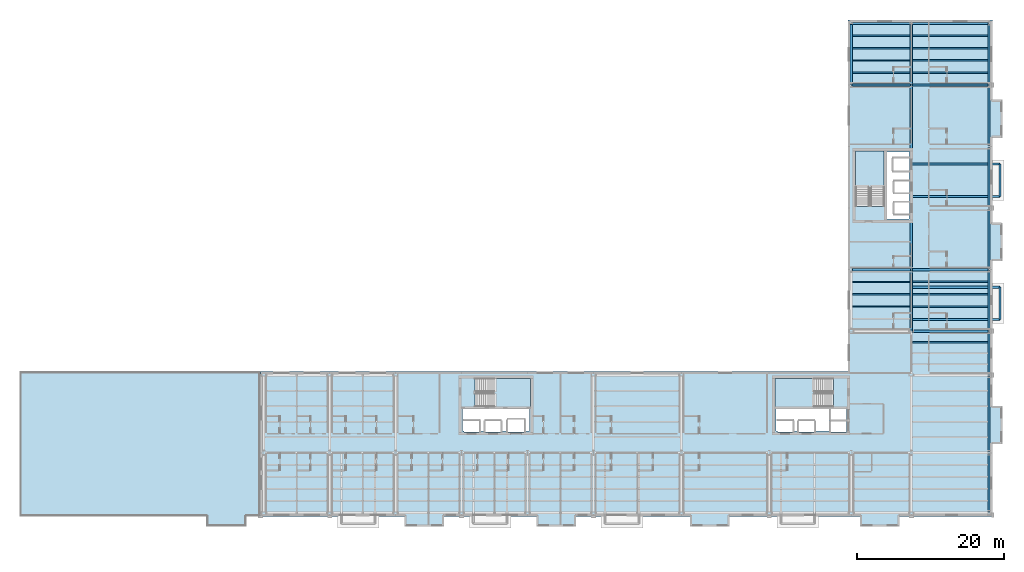
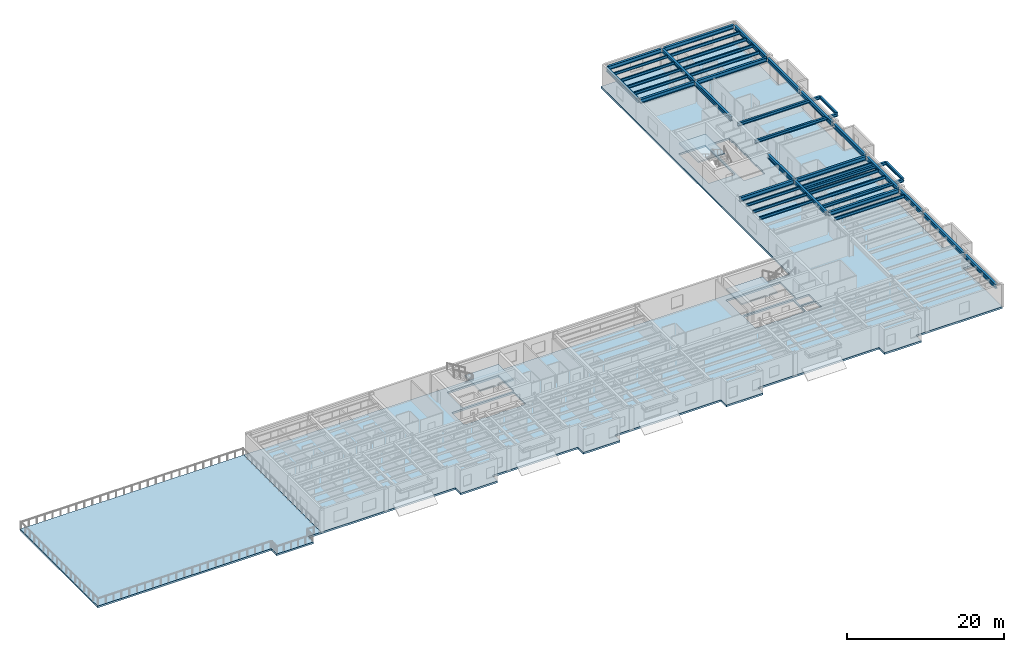
# One storey, part 7 of 23: 41 beams, 5 slabs, 3 elements without a shape of their own.
"""IFC4 building model written with IfcOpenShell, lengths in metres."""

from ifc_helpers import new_model, si_unit, direction, frame, origin, origin_2d, place, context, subcontext, project, spatial, polyline, i_section, outline, extrude, material, layer, layer_set, material_profile, profile_set, type_object, element, aggregate, save


model = new_model("IFC4")

# Units and contexts
model_context = context("Model", 3, precision=1e-05, world=origin(), true_north=direction((0.0, 1.0)))
body_context = subcontext(model_context, "Body", "Model", "MODEL_VIEW")
ifc_project = project(units=[si_unit("LENGTHUNIT", "METRE"), si_unit("AREAUNIT", "SQUARE_METRE"), si_unit("VOLUMEUNIT", "CUBIC_METRE"), si_unit("PLANEANGLEUNIT", "RADIAN"), si_unit("MASSUNIT", "GRAM", prefix="KILO")], contexts=[model_context])

# Site, building, storey
site_placement = place(None, origin())
site = spatial("IfcSite", under=ifc_project, at=site_placement, CompositionType="ELEMENT")
building_placement = place(site_placement, origin())
building = spatial("IfcBuilding", under=site, at=building_placement, Name="Sollismere Congress Hotel", CompositionType="ELEMENT")
storey_placement = place(building_placement, frame((0.0, 0.0, 30.60009765625)))
storey = spatial("IfcBuildingStorey", under=building, at=storey_placement, Name="L07", CompositionType="ELEMENT", Elevation=30.60009765625)

# Beams
ifc_material_1 = material(Name="Steel ASTM A992 Grade 50", Category="steel")
ifc_material_profile_1 = material_profile(ifc_material_1, i_section(OverallWidth=0.281982421875, OverallDepth=0.471923828125, WebThickness=0.013671875, FlangeThickness=0.022216796875, at=origin_2d()), Name="W18X97")
ifc_profile_set_1 = profile_set([ifc_material_profile_1], Name="Steel ASTM A992 Grade 50")
beam_type_1 = type_object("IfcBeamType", Name="BM-CK18E", PredefinedType="BEAM", material=ifc_profile_set_1)
for number, where, z_axis, x_axis, name in (
    (1, (155.39990234375, 26.39990234375, 2.989013671875), (1.0, 0.0, 0.0), (0.0, 1.0, 0.0), "Beam BM-L07-4007"),
    (2, (155.39990234375, 30.800048828125, 2.989013671875), (1.0, 0.0, 0.0), (0.0, 1.0, 0.0), "Beam BM-L07-4008"),
    (3, (155.39990234375, 43.199951171875, 2.989013671875), (1.0, 0.0, 0.0), (0.0, 1.0, 0.0), "Beam BM-L07-4010"),
    (4, (155.39990234375, 47.60009765625, 2.989013671875), (1.0, 0.0, 0.0), (0.0, 1.0, 0.0), "Beam BM-L07-4011"),
):
    element("IfcBeam", number, at=place(storey_placement, frame(where, z_axis=z_axis, x_axis=x_axis)), inside=storey, type_object=beam_type_1, Name=name, PredefinedType="BEAM", context=body_context, shape_type="SweptSolid", body=[
        extrude(i_section(OverallWidth=0.281982421875, OverallDepth=0.471923828125, WebThickness=0.013671875, FlangeThickness=0.022216796875, at=origin_2d()), origin(), (0.0, 0.0, 1.0), 12.090087890625),
    ])
ifc_material_profile_2 = material_profile(ifc_material_1, i_section(OverallWidth=0.31494140625, OverallDepth=0.551025390625, WebThickness=0.01513671875, FlangeThickness=0.0244140625, at=origin_2d()), Name="W21X122")
ifc_profile_set_2 = profile_set([ifc_material_profile_2], Name="Steel ASTM A992 Grade 50")
beam_type_2 = type_object("IfcBeamType", Name="BM-G21H", PredefinedType="BEAM", material=ifc_profile_set_2)
beam_1_placement = place(storey_placement, frame((147.199951171875, 58.5400390625, 2.949462890625), z_axis=(0.0, 1.0, 0.0), x_axis=(-1.0, 0.0, 0.0)))
element("IfcBeam", 5, at=beam_1_placement, inside=storey, type_object=beam_type_2, Name="Beam BM-L07-3320", PredefinedType="BEAM", context=body_context, shape_type="SweptSolid", body=[
    extrude(i_section(OverallWidth=0.31494140625, OverallDepth=0.551025390625, WebThickness=0.01513671875, FlangeThickness=0.0244140625, at=origin_2d()), origin(), (0.0, 0.0, 1.0), 8.119873046875),
])
beam_2_placement = place(storey_placement, frame((155.39990234375, 24.93994140625, 2.949462890625), z_axis=(0.0, 1.0, 0.0), x_axis=(-1.0, 0.0, 0.0)))
element("IfcBeam", 6, at=beam_2_placement, inside=storey, type_object=beam_type_2, Name="Beam BM-L07-3324", PredefinedType="BEAM", context=body_context, shape_type="SweptSolid", body=[
    extrude(i_section(OverallWidth=0.31494140625, OverallDepth=0.551025390625, WebThickness=0.01513671875, FlangeThickness=0.0244140625, at=origin_2d()), origin(), (0.0, 0.0, 1.0), 8.1201171875),
])
beam_3_placement = place(storey_placement, frame((155.39990234375, 58.5400390625, 2.949462890625), z_axis=(0.0, 1.0, 0.0), x_axis=(-1.0, 0.0, 0.0)))
element("IfcBeam", 7, at=beam_3_placement, inside=storey, type_object=beam_type_2, Name="Beam BM-L07-3325", PredefinedType="BEAM", context=body_context, shape_type="SweptSolid", body=[
    extrude(i_section(OverallWidth=0.31494140625, OverallDepth=0.551025390625, WebThickness=0.01513671875, FlangeThickness=0.0244140625, at=origin_2d()), origin(), (0.0, 0.0, 1.0), 8.119873046875),
])
ifc_material_profile_3 = material_profile(ifc_material_1, i_section(OverallWidth=0.324951171875, OverallDepth=0.612060546875, WebThickness=0.0126953125, FlangeThickness=0.01904296875, at=origin_2d()), Name="W24X104")
ifc_profile_set_3 = profile_set([ifc_material_profile_3], Name="Steel ASTM A992 Grade 50")
beam_type_3 = type_object("IfcBeamType", Name="BM-G24", PredefinedType="BEAM", material=ifc_profile_set_3)
beam_4_placement = place(storey_placement, frame((155.5400390625, 24.800048828125, 2.9189453125), z_axis=(1.0, 0.0, 0.0), x_axis=(0.0, 1.0, 0.0)))
element("IfcBeam", 8, at=beam_4_placement, inside=storey, type_object=beam_type_3, Name="Beam BM-L07-3298", PredefinedType="BEAM", context=body_context, shape_type="SweptSolid", body=[
    extrude(i_section(OverallWidth=0.324951171875, OverallDepth=0.612060546875, WebThickness=0.0126953125, FlangeThickness=0.01904296875, at=origin_2d()), origin(), (0.0, 0.0, 1.0), 10.320068359375),
])
beam_5_placement = place(storey_placement, frame((147.340087890625, 33.199951171875, 2.9189453125), z_axis=(1.0, 0.0, 0.0), x_axis=(0.0, 1.0, 0.0)))
element("IfcBeam", 9, at=beam_5_placement, inside=storey, type_object=beam_type_3, Name="Beam BM-L07-3299", PredefinedType="BEAM", context=body_context, shape_type="SweptSolid", body=[
    extrude(i_section(OverallWidth=0.324951171875, OverallDepth=0.612060546875, WebThickness=0.0126953125, FlangeThickness=0.01904296875, at=origin_2d()), origin(), (0.0, 0.0, 1.0), 7.919921875),
])
beam_6_placement = place(storey_placement, frame((155.5400390625, 33.199951171875, 2.9189453125), z_axis=(1.0, 0.0, 0.0), x_axis=(0.0, 1.0, 0.0)))
element("IfcBeam", 10, at=beam_6_placement, inside=storey, type_object=beam_type_3, Name="Beam BM-L07-3300", PredefinedType="BEAM", context=body_context, shape_type="SweptSolid", body=[
    extrude(i_section(OverallWidth=0.324951171875, OverallDepth=0.612060546875, WebThickness=0.0126953125, FlangeThickness=0.01904296875, at=origin_2d()), origin(), (0.0, 0.0, 1.0), 10.320068359375),
])
beam_7_placement = place(storey_placement, frame((147.3310546875, 58.39990234375, 2.9189453125), z_axis=(1.0, 0.0, 0.0), x_axis=(0.0, 1.0, 0.0)))
element("IfcBeam", 11, at=beam_7_placement, inside=storey, type_object=beam_type_3, Name="Beam BM-L07-3301", PredefinedType="BEAM", context=body_context, shape_type="SweptSolid", body=[
    extrude(i_section(OverallWidth=0.324951171875, OverallDepth=0.612060546875, WebThickness=0.0126953125, FlangeThickness=0.01904296875, at=origin_2d()), origin(), (0.0, 0.0, 1.0), 7.93798828125),
])
beam_8_placement = place(storey_placement, frame((155.531005859375, 58.39990234375, 2.9189453125), z_axis=(1.0, 0.0, 0.0), x_axis=(0.0, 1.0, 0.0)))
element("IfcBeam", 12, at=beam_8_placement, inside=storey, type_object=beam_type_3, Name="Beam BM-L07-3302", PredefinedType="BEAM", context=body_context, shape_type="SweptSolid", body=[
    extrude(i_section(OverallWidth=0.324951171875, OverallDepth=0.612060546875, WebThickness=0.0126953125, FlangeThickness=0.01904296875, at=origin_2d()), origin(), (0.0, 0.0, 1.0), 10.337890625),
])
beam_9_placement = place(storey_placement, frame((147.3310546875, 66.800048828125, 2.9189453125), z_axis=(1.0, 0.0, 0.0), x_axis=(0.0, 1.0, 0.0)))
element("IfcBeam", 13, at=beam_9_placement, inside=storey, type_object=beam_type_3, Name="Beam BM-L07-3303", PredefinedType="BEAM", context=body_context, shape_type="SweptSolid", body=[
    extrude(i_section(OverallWidth=0.324951171875, OverallDepth=0.612060546875, WebThickness=0.0126953125, FlangeThickness=0.01904296875, at=origin_2d()), origin(), (0.0, 0.0, 1.0), 7.93798828125),
])
beam_10_placement = place(storey_placement, frame((155.531005859375, 66.800048828125, 2.9189453125), z_axis=(1.0, 0.0, 0.0), x_axis=(0.0, 1.0, 0.0)))
element("IfcBeam", 14, at=beam_10_placement, inside=storey, type_object=beam_type_3, Name="Beam BM-L07-3304", PredefinedType="BEAM", context=body_context, shape_type="SweptSolid", body=[
    extrude(i_section(OverallWidth=0.324951171875, OverallDepth=0.612060546875, WebThickness=0.0126953125, FlangeThickness=0.01904296875, at=origin_2d()), origin(), (0.0, 0.0, 1.0), 10.337890625),
])
ifc_material_profile_4 = material_profile(ifc_material_1, i_section(OverallWidth=0.330078125, OverallDepth=0.635009765625, WebThickness=0.017822265625, FlangeThickness=0.031005859375, at=origin_2d()), Name="W24X162")
ifc_profile_set_4 = profile_set([ifc_material_profile_4], Name="Steel ASTM A992 Grade 50")
beam_type_4 = type_object("IfcBeamType", Name="BM-G24H", PredefinedType="BEAM", material=ifc_profile_set_4)
beam_11_placement = place(storey_placement, frame((155.39990234375, 33.320068359375, 2.907470703125), z_axis=(0.0, 1.0, 0.0), x_axis=(-1.0, 0.0, 0.0)))
element("IfcBeam", 15, at=beam_11_placement, inside=storey, type_object=beam_type_4, Name="Beam BM-L07-3993", PredefinedType="BEAM", context=body_context, shape_type="SweptSolid", body=[
    extrude(i_section(OverallWidth=0.330078125, OverallDepth=0.635009765625, WebThickness=0.017822265625, FlangeThickness=0.031005859375, at=origin_2d()), origin(), (0.0, 0.0, 1.0), 6.530029296875),
])
beam_12_placement = place(storey_placement, frame((155.39990234375, 49.25, 2.907470703125), z_axis=(0.0, 1.0, 0.0), x_axis=(-1.0, 0.0, 0.0)))
element("IfcBeam", 16, at=beam_12_placement, inside=storey, type_object=beam_type_4, Name="Beam BM-L07-3994", PredefinedType="BEAM", context=body_context, shape_type="SweptSolid", body=[
    extrude(i_section(OverallWidth=0.330078125, OverallDepth=0.635009765625, WebThickness=0.017822265625, FlangeThickness=0.031005859375, at=origin_2d()), origin(), (0.0, 0.0, 1.0), 9.14990234375),
])
ifc_material_profile_5 = material_profile(ifc_material_1, i_section(OverallWidth=0.180908203125, OverallDepth=0.4169921875, WebThickness=0.010986328125, FlangeThickness=0.018310546875, at=origin_2d()), Name="W16X57")
ifc_profile_set_5 = profile_set([ifc_material_profile_5], Name="Steel ASTM A992 Grade 50")
beam_type_5 = type_object("IfcBeamType", Name="BM-J16", PredefinedType="JOIST", material=ifc_profile_set_5)
for number, where, z_axis, x_axis, name in (
    (17, (147.357421875, 28.159912109375, 3.016357421875), (1.0, 0.0, 0.0), (0.0, 1.0, 0.0), "Beam BM-L07-3383"),
    (18, (147.357421875, 29.840087890625, 3.016357421875), (1.0, 0.0, 0.0), (0.0, 1.0, 0.0), "Beam BM-L07-3384"),
    (19, (147.357421875, 31.52001953125, 3.016357421875), (1.0, 0.0, 0.0), (0.0, 1.0, 0.0), "Beam BM-L07-3385"),
    (20, (147.357421875, 60.080078125, 3.016357421875), (1.0, 0.0, 0.0), (0.0, 1.0, 0.0), "Beam BM-L07-3386"),
    (21, (147.357421875, 61.760009765625, 3.016357421875), (1.0, 0.0, 0.0), (0.0, 1.0, 0.0), "Beam BM-L07-3387"),
    (22, (147.357421875, 63.43994140625, 3.016357421875), (1.0, 0.0, 0.0), (0.0, 1.0, 0.0), "Beam BM-L07-3388"),
    (23, (147.357421875, 65.1201171875, 3.016357421875), (1.0, 0.0, 0.0), (0.0, 1.0, 0.0), "Beam BM-L07-3389"),
):
    element("IfcBeam", number, at=place(storey_placement, frame(where, z_axis=z_axis, x_axis=x_axis)), inside=storey, type_object=beam_type_5, Name=name, PredefinedType="JOIST", context=body_context, shape_type="SweptSolid", body=[
        extrude(i_section(OverallWidth=0.180908203125, OverallDepth=0.4169921875, WebThickness=0.010986328125, FlangeThickness=0.018310546875, at=origin_2d()), origin(), (0.0, 0.0, 1.0), 7.885009765625),
    ])
ifc_material_profile_6 = material_profile(ifc_material_1, i_section(OverallWidth=0.193115234375, OverallDepth=0.467041015625, WebThickness=0.011474609375, FlangeThickness=0.01904296875, at=origin_2d()), Name="W18X65")
ifc_profile_set_6 = profile_set([ifc_material_profile_6], Name="Steel ASTM A992 Grade 50")
beam_type_6 = type_object("IfcBeamType", Name="BM-J18", PredefinedType="JOIST", material=ifc_profile_set_6)
for number, where, z_axis, x_axis, name in (
    (24, (155.5576171875, 23.300048828125, 2.991455078125), (1.0, 0.0, 0.0), (0.0, 1.0, 0.0), "Beam BM-L07-3400"),
    (25, (155.5576171875, 28.159912109375, 2.991455078125), (1.0, 0.0, 0.0), (0.0, 1.0, 0.0), "Beam BM-L07-3401"),
    (26, (155.5576171875, 29.840087890625, 2.991455078125), (1.0, 0.0, 0.0), (0.0, 1.0, 0.0), "Beam BM-L07-3402"),
    (27, (155.5576171875, 31.52001953125, 2.991455078125), (1.0, 0.0, 0.0), (0.0, 1.0, 0.0), "Beam BM-L07-3403"),
    (28, (155.5576171875, 60.080078125, 2.991455078125), (1.0, 0.0, 0.0), (0.0, 1.0, 0.0), "Beam BM-L07-3404"),
    (29, (155.5576171875, 61.760009765625, 2.991455078125), (1.0, 0.0, 0.0), (0.0, 1.0, 0.0), "Beam BM-L07-3405"),
    (30, (155.5576171875, 63.43994140625, 2.991455078125), (1.0, 0.0, 0.0), (0.0, 1.0, 0.0), "Beam BM-L07-3406"),
    (31, (155.5576171875, 65.1201171875, 2.991455078125), (1.0, 0.0, 0.0), (0.0, 1.0, 0.0), "Beam BM-L07-3407"),
):
    element("IfcBeam", number, at=place(storey_placement, frame(where, z_axis=z_axis, x_axis=x_axis)), inside=storey, type_object=beam_type_6, Name=name, PredefinedType="JOIST", context=body_context, shape_type="SweptSolid", body=[
        extrude(i_section(OverallWidth=0.193115234375, OverallDepth=0.467041015625, WebThickness=0.011474609375, FlangeThickness=0.01904296875, at=origin_2d()), origin(), (0.0, 0.0, 1.0), 10.27734375),
    ])
ifc_material_profile_7 = material_profile(ifc_material_1, i_section(OverallWidth=0.261962890625, OverallDepth=0.4189453125, WebThickness=0.01171875, FlangeThickness=0.019287109375, at=origin_2d()), Name="W16X77")
ifc_profile_set_7 = profile_set([ifc_material_profile_7], Name="Steel ASTM A992 Grade 50")
beam_type_7 = type_object("IfcBeamType", Name="BM-LN16E", PredefinedType="LINTEL", material=ifc_profile_set_7)
for number, where, z_axis, x_axis, name in (
    (32, (167.489990234375, 26.39990234375, 3.015380859375), (0.0, 1.0, 0.0), (-1.0, 0.0, 0.0), "Beam BM-L07-4009"),
    (33, (167.489990234375, 43.199951171875, 3.015380859375), (0.0, 1.0, 0.0), (-1.0, 0.0, 0.0), "Beam BM-L07-4012"),
):
    element("IfcBeam", number, at=place(storey_placement, frame(where, z_axis=z_axis, x_axis=x_axis)), inside=storey, type_object=beam_type_7, Name=name, PredefinedType="LINTEL", context=body_context, shape_type="SweptSolid", body=[
        extrude(i_section(OverallWidth=0.261962890625, OverallDepth=0.4189453125, WebThickness=0.01171875, FlangeThickness=0.019287109375, at=origin_2d()), origin(), (0.0, 0.0, 1.0), 4.400146484375),
    ])
ifc_material_profile_8 = material_profile(ifc_material_1, i_section(OverallWidth=0.330078125, OverallDepth=0.635009765625, WebThickness=0.017822265625, FlangeThickness=0.031005859375, at=origin_2d()), Name="W24X162")
ifc_profile_set_8 = profile_set([ifc_material_profile_8], Name="Steel ASTM A992 Grade 50")
beam_type_8 = type_object("IfcBeamType", Name="BM-SP24E", PredefinedType="SPANDREL", material=ifc_profile_set_8)
beam_13_placement = place(storey_placement, frame((166.0, 0.139892578125, 2.907470703125), z_axis=(0.0, 1.0, 0.0), x_axis=(-1.0, 0.0, 0.0)))
element("IfcBeam", 34, at=beam_13_placement, inside=storey, type_object=beam_type_8, Name="Beam BM-L07-3326", PredefinedType="SPANDREL", context=body_context, shape_type="SweptSolid", body=[
    extrude(i_section(OverallWidth=0.330078125, OverallDepth=0.635009765625, WebThickness=0.017822265625, FlangeThickness=0.031005859375, at=origin_2d()), origin(), (0.0, 0.0, 1.0), 7.920166015625),
])
beam_14_placement = place(storey_placement, frame((166.0, 8.340087890625, 2.907470703125), z_axis=(0.0, 1.0, 0.0), x_axis=(-1.0, 0.0, 0.0)))
element("IfcBeam", 35, at=beam_14_placement, inside=storey, type_object=beam_type_8, Name="Beam BM-L07-3327", PredefinedType="SPANDREL", context=body_context, shape_type="SweptSolid", body=[
    extrude(i_section(OverallWidth=0.330078125, OverallDepth=0.635009765625, WebThickness=0.017822265625, FlangeThickness=0.031005859375, at=origin_2d()), origin(), (0.0, 0.0, 1.0), 10.31982421875),
])
beam_15_placement = place(storey_placement, frame((166.0, 18.93994140625, 2.907470703125), z_axis=(0.0, 1.0, 0.0), x_axis=(-1.0, 0.0, 0.0)))
element("IfcBeam", 36, at=beam_15_placement, inside=storey, type_object=beam_type_8, Name="Beam BM-L07-3328", PredefinedType="SPANDREL", context=body_context, shape_type="SweptSolid", body=[
    extrude(i_section(OverallWidth=0.330078125, OverallDepth=0.635009765625, WebThickness=0.017822265625, FlangeThickness=0.031005859375, at=origin_2d()), origin(), (0.0, 0.0, 1.0), 5.719970703125),
])
beam_16_placement = place(storey_placement, frame((166.0, 24.93994140625, 2.907470703125), z_axis=(0.0, 1.0, 0.0), x_axis=(-1.0, 0.0, 0.0)))
element("IfcBeam", 37, at=beam_16_placement, inside=storey, type_object=beam_type_8, Name="Beam BM-L07-3329", PredefinedType="SPANDREL", context=body_context, shape_type="SweptSolid", body=[
    extrude(i_section(OverallWidth=0.330078125, OverallDepth=0.635009765625, WebThickness=0.017822265625, FlangeThickness=0.031005859375, at=origin_2d()), origin(), (0.0, 0.0, 1.0), 8.1201171875),
])
beam_17_placement = place(storey_placement, frame((166.0, 33.340087890625, 2.907470703125), z_axis=(0.0, 1.0, 0.0), x_axis=(-1.0, 0.0, 0.0)))
element("IfcBeam", 38, at=beam_17_placement, inside=storey, type_object=beam_type_8, Name="Beam BM-L07-3330", PredefinedType="SPANDREL", context=body_context, shape_type="SweptSolid", body=[
    extrude(i_section(OverallWidth=0.330078125, OverallDepth=0.635009765625, WebThickness=0.017822265625, FlangeThickness=0.031005859375, at=origin_2d()), origin(), (0.0, 0.0, 1.0), 8.119873046875),
])
for number, where, z_axis, x_axis, name in (
    (39, (166.0, 41.739990234375, 2.907470703125), (0.0, 1.0, 0.0), (-1.0, 0.0, 0.0), "Beam BM-L07-3331"),
    (40, (166.0, 50.139892578125, 2.907470703125), (0.0, 1.0, 0.0), (-1.0, 0.0, 0.0), "Beam BM-L07-3332"),
):
    element("IfcBeam", number, at=place(storey_placement, frame(where, z_axis=z_axis, x_axis=x_axis)), inside=storey, type_object=beam_type_8, Name=name, PredefinedType="SPANDREL", context=body_context, shape_type="SweptSolid", body=[
        extrude(i_section(OverallWidth=0.330078125, OverallDepth=0.635009765625, WebThickness=0.017822265625, FlangeThickness=0.031005859375, at=origin_2d()), origin(), (0.0, 0.0, 1.0), 8.1201171875),
    ])
beam_18_placement = place(storey_placement, frame((166.0, 58.5400390625, 2.907470703125), z_axis=(0.0, 1.0, 0.0), x_axis=(-1.0, 0.0, 0.0)))
element("IfcBeam", 41, at=beam_18_placement, inside=storey, type_object=beam_type_8, Name="Beam BM-L07-3333", PredefinedType="SPANDREL", context=body_context, shape_type="SweptSolid", body=[
    extrude(i_section(OverallWidth=0.330078125, OverallDepth=0.635009765625, WebThickness=0.017822265625, FlangeThickness=0.031005859375, at=origin_2d()), origin(), (0.0, 0.0, 1.0), 8.119873046875),
])

# Slab
ifc_material_2 = material(Name="Concrete C40/50", Category="concrete")
ifc_layer_1 = layer(ifc_material_2, 0.284912109375, Name="Concrete C40/50")
ifc_layer_set_1 = layer_set([ifc_layer_1], Name="Concrete C40/50")
slab_type_1 = type_object("IfcSlabType", Name="SL-FLR285", PredefinedType="FLOOR", material=ifc_layer_set_1)
slab_1_placement = place(storey_placement, frame((0.0, 0.0, -0.28515625)))
element("IfcSlab", 42, at=slab_1_placement, inside=storey, type_object=slab_type_1, Name="Slab SL-L07-V5", PredefinedType="FLOOR", context=body_context, shape_type="SweptSolid", body=[
    extrude(outline(polyline([(91.60009765625, -1.85009765625), (91.60009765625, -0.47998046875), (104.199951171875, -0.47998046875), (104.199951171875, -1.85009765625), (109.60009765625, -1.85009765625), (109.60009765625, -0.47998046875), (125.199951171875, -0.47998046875), (125.199951171875, -1.85009765625), (130.60009765625, -1.85009765625), (130.60009765625, -0.47998046875), (148.39990234375, -0.47998046875), (148.39990234375, -1.85009765625), (153.800048828125, -1.85009765625), (153.800048828125, -0.47998046875), (166.47998046875, -0.47998046875), (166.47998046875, 9.39990234375), (167.85009765625, 9.39990234375), (167.85009765625, 14.60009765625), (166.47998046875, 14.60009765625), (166.47998046875, 19.280029296875), (166.47998046875, 34.39990234375), (167.85009765625, 34.39990234375), (167.85009765625, 39.60009765625), (166.47998046875, 39.60009765625), (166.47998046875, 51.199951171875), (167.85009765625, 51.199951171875), (167.85009765625, 56.39990234375), (166.47998046875, 56.39990234375), (166.47998046875, 67.280029296875), (146.719970703125, 67.280029296875), (146.719970703125, 19.280029296875), (66.52001953125, 19.280029296875), (66.52001953125, -0.47998046875), (86.199951171875, -0.47998046875), (86.199951171875, -1.85009765625), (91.60009765625, -1.85009765625)]), holes=[polyline([(94.35498046875, 11.050048828125), (94.35498046875, 11.139892578125), (94.139892578125, 11.139892578125), (94.139892578125, 14.179931640625), (103.260009765625, 14.179931640625), (103.260009765625, 11.139892578125), (102.570068359375, 11.139892578125), (102.570068359375, 11.054931640625), (100.330078125, 11.054931640625), (100.330078125, 11.139892578125), (99.344970703125, 11.139892578125), (99.344970703125, 11.050048828125), (97.2548828125, 11.050048828125), (97.2548828125, 11.139892578125), (96.445068359375, 11.139892578125), (96.445068359375, 11.050048828125), (94.35498046875, 11.050048828125)]), polyline([(137.155029296875, 11.050048828125), (137.155029296875, 11.139892578125), (136.93994140625, 11.139892578125), (136.93994140625, 14.179931640625), (144.22705078125, 14.179931640625), (144.22705078125, 11.139892578125), (142.14501953125, 11.139892578125), (142.14501953125, 11.050048828125), (140.054931640625, 11.050048828125), (140.054931640625, 11.139892578125), (139.2451171875, 11.139892578125), (139.2451171875, 11.050048828125), (137.155029296875, 11.050048828125)]), polyline([(95.8505859375, 14.449951171875), (95.8505859375, 18.35009765625), (103.39990234375, 18.35009765625), (103.39990234375, 14.449951171875), (95.8505859375, 14.449951171875)]), polyline([(144.749267578125, 18.35009765625), (144.749267578125, 14.449951171875), (136.800048828125, 14.449951171875), (136.800048828125, 18.35009765625), (144.749267578125, 18.35009765625)]), polyline([(146.550048828125, 11.0048828125), (144.409912109375, 11.0048828125), (144.409912109375, 12.4951171875), (146.550048828125, 12.4951171875), (146.550048828125, 11.0048828125)]), polyline([(146.550048828125, 12.705078125), (144.409912109375, 12.705078125), (144.409912109375, 14.195068359375), (146.550048828125, 14.195068359375), (146.550048828125, 12.705078125)]), polyline([(155.14501953125, 40.830078125), (155.06005859375, 40.830078125), (155.06005859375, 40.139892578125), (151.969970703125, 40.139892578125), (151.969970703125, 49.260009765625), (155.06005859375, 49.260009765625), (155.06005859375, 48.39501953125), (155.139892578125, 48.39501953125), (155.139892578125, 46.705078125), (155.06005859375, 46.705078125), (155.06005859375, 45.27001953125), (155.14501953125, 45.27001953125), (155.14501953125, 43.72998046875), (155.06005859375, 43.72998046875), (155.06005859375, 42.3701171875), (155.14501953125, 42.3701171875), (155.14501953125, 40.830078125)]), polyline([(151.699951171875, 41.8505859375), (147.800048828125, 41.8505859375), (147.800048828125, 49.39990234375), (151.699951171875, 49.39990234375), (151.699951171875, 41.8505859375)])]), origin(), (0.0, 0.0, 1.0), 0.28515625),
])

# Stair, slab
stair_type = type_object("IfcStairType", Name="STR-DL-350", PredefinedType="HALF_TURN_STAIR", material=ifc_material_2)
stair_1_placement = place(storey_placement, origin())
stair_1 = element("IfcStair", 43, at=stair_1_placement, inside=storey, type_object=stair_type, Name="Protected exit stair ST-01-L07", PredefinedType="HALF_TURN_STAIR")
ifc_layer_2 = layer(ifc_material_2, 0.199951171875, Name="Concrete C40/50")
ifc_layer_set_2 = layer_set([ifc_layer_2], Name="Concrete C40/50")
slab_type_2 = type_object("IfcSlabType", Name="SL-LND200", PredefinedType="LANDING", material=ifc_layer_set_2)
slab_2_placement = place(storey_placement, frame((0.0, 0.0, 1.5498046875)))
slab_2 = element("IfcSlab", 44, at=slab_2_placement, type_object=slab_type_2, Name="Exit stair half-landing ST-01-L07-L1", PredefinedType="LANDING", context=body_context, shape_type="SweptSolid", body=[
    extrude(outline(polyline([(142.139892578125, 18.35009765625), (136.800048828125, 18.35009765625), (136.800048828125, 14.449951171875), (142.139892578125, 14.449951171875), (142.139892578125, 18.35009765625)])), origin(), (0.0, 0.0, 1.0), 0.2001953125),
])
aggregate(stair_1, [slab_2])

stair_2_placement = place(storey_placement, origin())
stair_2 = element("IfcStair", 45, at=stair_2_placement, inside=storey, type_object=stair_type, Name="Protected exit stair ST-02-L07", PredefinedType="HALF_TURN_STAIR")
slab_3_placement = place(storey_placement, frame((0.0, 0.0, 1.5498046875)))
slab_3 = element("IfcSlab", 46, at=slab_3_placement, type_object=slab_type_2, Name="Exit stair half-landing ST-02-L07-L1", PredefinedType="LANDING", context=body_context, shape_type="SweptSolid", body=[
    extrude(outline(polyline([(98.4599609375, 14.449951171875), (103.39990234375, 14.449951171875), (103.39990234375, 18.35009765625), (98.4599609375, 18.35009765625), (98.4599609375, 14.449951171875)])), origin(), (0.0, 0.0, 1.0), 0.2001953125),
])
aggregate(stair_2, [slab_3])

stair_3_placement = place(storey_placement, origin())
stair_3 = element("IfcStair", 47, at=stair_3_placement, inside=storey, type_object=stair_type, Name="Protected exit stair ST-03-L07", PredefinedType="HALF_TURN_STAIR")
slab_4_placement = place(storey_placement, frame((0.0, 0.0, 1.5498046875)))
slab_4 = element("IfcSlab", 48, at=slab_4_placement, type_object=slab_type_2, Name="Exit stair half-landing ST-03-L07-L1", PredefinedType="LANDING", context=body_context, shape_type="SweptSolid", body=[
    extrude(outline(polyline([(151.699951171875, 44.4599609375), (151.699951171875, 49.39990234375), (147.800048828125, 49.39990234375), (147.800048828125, 44.4599609375), (151.699951171875, 44.4599609375)])), origin(), (0.0, 0.0, 1.0), 0.2001953125),
])
aggregate(stair_3, [slab_4])

# Slab
ifc_layer_3 = layer(ifc_material_2, 0.27490234375, Name="Concrete C40/50")
ifc_layer_set_3 = layer_set([ifc_layer_3], Name="Concrete C40/50")
slab_type_3 = type_object("IfcSlabType", Name="SL-TER275", PredefinedType="FLOOR", material=ifc_layer_set_3)
slab_5_placement = place(storey_placement, frame((0.0, 0.0, -0.275146484375)))
element("IfcSlab", 49, at=slab_5_placement, inside=storey, type_object=slab_type_3, Name="Slab SL-L07-TRS", PredefinedType="FLOOR", context=body_context, shape_type="SweptSolid", body=[
    extrude(outline(polyline([(64.60009765625, -0.47998046875), (66.52001953125, -0.47998046875), (66.52001953125, 19.280029296875), (33.719970703125, 19.280029296875), (33.719970703125, -0.47998046875), (59.199951171875, -0.47998046875), (59.199951171875, -1.85009765625), (64.60009765625, -1.85009765625), (64.60009765625, -0.47998046875)])), origin(), (0.0, 0.0, 1.0), 0.275146484375),
])

save(model, "model.ifc")
